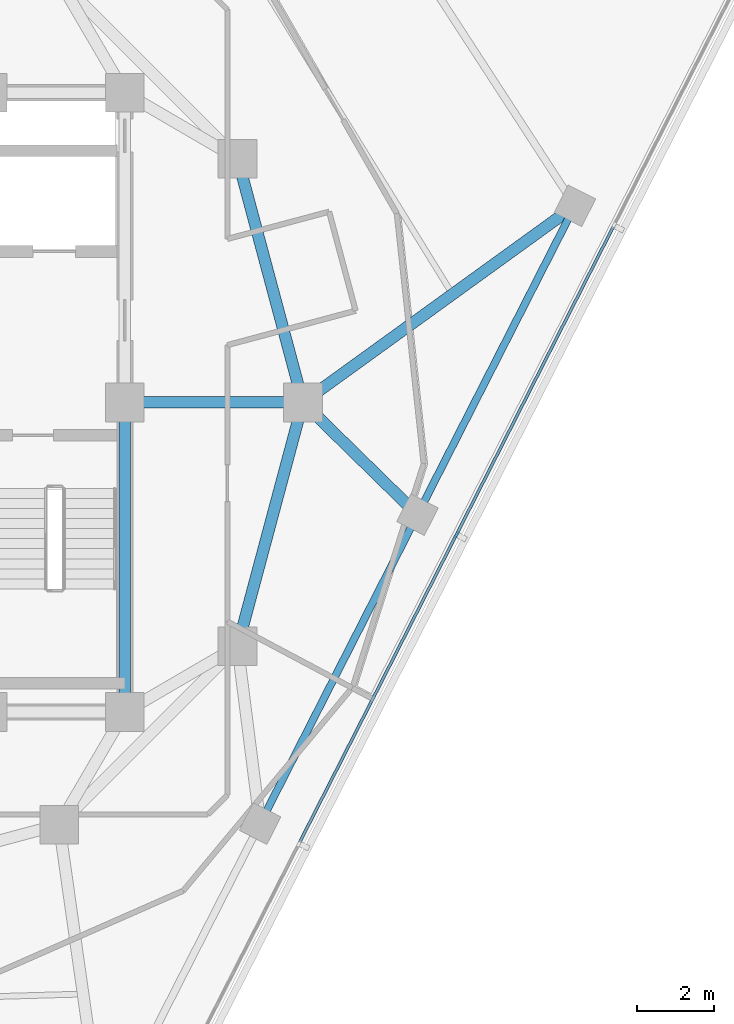
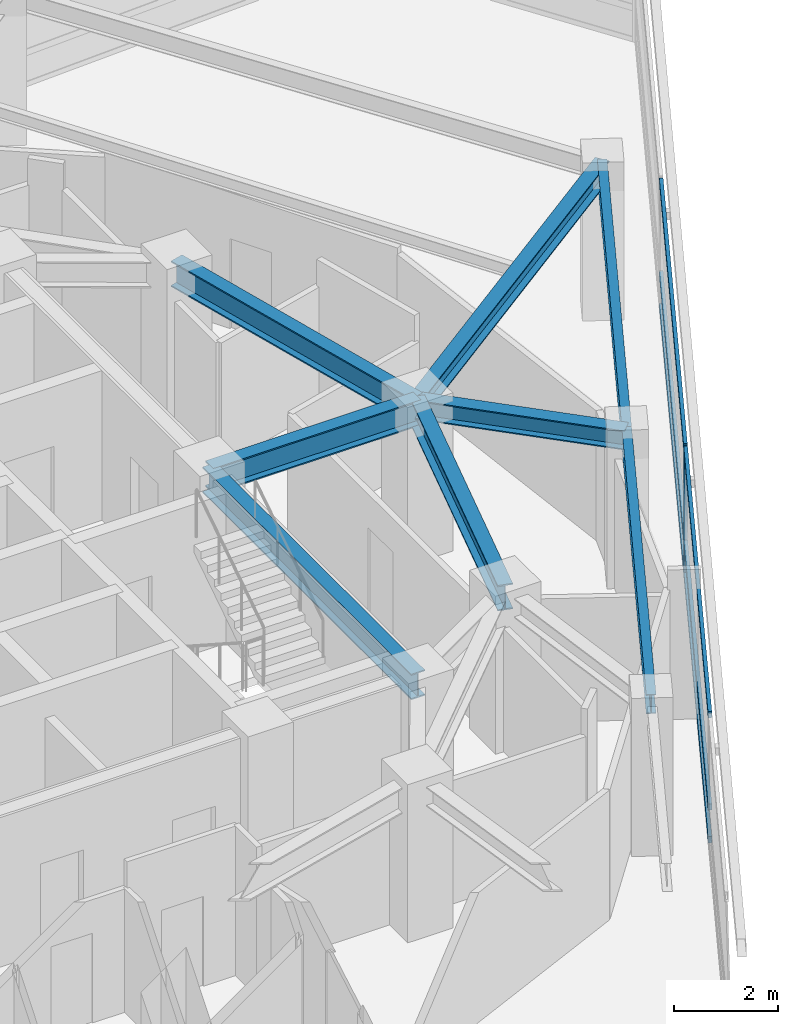
# One storey, part 4 of 15: 8 beams, 7 members, 1 element without a shape of its own.
"""IFC4 building model written with IfcOpenShell, lengths in metres."""

from ifc_helpers import new_model, si_unit, direction, frame, origin, origin_2d, place, context, subcontext, project, spatial, rectangle, i_section, extrude, material, layer, layer_set, material_profile, profile_set, type_object, element, aggregate, save


model = new_model("IFC4")

# Units and contexts
model_context = context("Model", 3, precision=1e-05, world=origin(), true_north=direction((0.0, 1.0)))
body_context = subcontext(model_context, "Body", "Model", "MODEL_VIEW")
ifc_project = project(units=[si_unit("LENGTHUNIT", "METRE"), si_unit("AREAUNIT", "SQUARE_METRE"), si_unit("VOLUMEUNIT", "CUBIC_METRE"), si_unit("PLANEANGLEUNIT", "RADIAN"), si_unit("MASSUNIT", "GRAM", prefix="KILO")], contexts=[model_context])

# Site, building, storey
site_placement = place(None, origin())
site = spatial("IfcSite", under=ifc_project, at=site_placement, CompositionType="ELEMENT")
building_placement = place(site_placement, origin())
building = spatial("IfcBuilding", under=site, at=building_placement, Name="Terralouvre Media Tower", CompositionType="ELEMENT")
storey_placement = place(building_placement, frame((0.0, 0.0, 263.300048828125)))
storey = spatial("IfcBuildingStorey", under=building, at=storey_placement, Name="L68", CompositionType="ELEMENT", Elevation=263.300048828125)

# Curtain wall, members
ifc_material_1 = material(Name="Low-iron laminated double glazing with solar-control coating", Category="glass")
ifc_layer = layer(ifc_material_1, 0.1650390625, Name="Upper Executive Tower Curtain Wall CW-05")
ifc_layer_set = layer_set([ifc_layer], Name="Low-iron laminated double glazing with solar-control coating")
curtain_wall_type = type_object("IfcCurtainWallType", Name="Upper Executive Tower Curtain Wall CW-05", PredefinedType="NOTDEFINED", material=ifc_layer_set)
curtain_wall_placement = place(storey_placement, origin())
curtain_wall = element("IfcCurtainWall", 1, at=curtain_wall_placement, inside=storey, type_object=curtain_wall_type, Name="L68 Facade Curtain Wall F0", PredefinedType="NOTDEFINED")
ifc_material_2 = material(Name="Anodised extruded aluminium 6063-T6", Category="aluminium")
ifc_material_profile_1 = material_profile(ifc_material_2, rectangle(XDim=0.074951171875, YDim=0.14990234375, at=origin_2d()), Name="ALU 75x150")
ifc_profile_set_1 = profile_set([ifc_material_profile_1], Name="Anodised extruded aluminium 6063-T6")
member_type_1 = type_object("IfcMemberType", Name="Curtain-Wall Horizontal Transom TR-150", PredefinedType="USERDEFINED", material=ifc_profile_set_1)
member_1_placement = place(storey_placement, frame((12.517822265625, -11.364013671875, 0.037353515625), z_axis=(0.4539932871, 0.891005103952, 0.0), x_axis=(-0.891005103952, 0.4539932871, 0.0)))
member_1 = element("IfcMember", 2, at=member_1_placement, type_object=member_type_1, Name="CW-05 transom 3.1", ObjectType="TRANSOM", PredefinedType="USERDEFINED", context=body_context, shape_type="SweptSolid", body=[
    extrude(rectangle(XDim=0.074951171875, YDim=0.14990234375, at=origin_2d()), origin(), (0.0, 0.0, 1.0), 8.885009765625),
])
member_2_placement = place(storey_placement, frame((12.517822265625, -11.364013671875, 0.800048828125), z_axis=(0.4539932871, 0.891005103952, 0.0), x_axis=(-0.891005103952, 0.4539932871, 0.0)))
member_2 = element("IfcMember", 3, at=member_2_placement, type_object=member_type_1, Name="CW-05 transom 3.2", ObjectType="TRANSOM", PredefinedType="USERDEFINED", context=body_context, shape_type="SweptSolid", body=[
    extrude(rectangle(XDim=0.074951171875, YDim=0.14990234375, at=origin_2d()), origin(), (0.0, 0.0, 1.0), 8.885009765625),
])
member_3_placement = place(storey_placement, frame((12.517822265625, -11.364013671875, 2.96240234375), z_axis=(0.4539932871, 0.891005103952, 0.0), x_axis=(-0.891005103952, 0.4539932871, 0.0)))
member_3 = element("IfcMember", 4, at=member_3_placement, type_object=member_type_1, Name="CW-05 transom 3.3", ObjectType="TRANSOM", PredefinedType="USERDEFINED", context=body_context, shape_type="SweptSolid", body=[
    extrude(rectangle(XDim=0.074951171875, YDim=0.14990234375, at=origin_2d()), origin(), (0.0, 0.0, 1.0), 8.885009765625),
])
member_4_placement = place(storey_placement, frame((16.585693359375, -3.380615234375, 0.037353515625), z_axis=(0.4539932871, 0.891005103952, 0.0), x_axis=(-0.891005103952, 0.4539932871, 0.0)))
member_4 = element("IfcMember", 5, at=member_4_placement, type_object=member_type_1, Name="CW-05 transom 4.1", ObjectType="TRANSOM", PredefinedType="USERDEFINED", context=body_context, shape_type="SweptSolid", body=[
    extrude(rectangle(XDim=0.074951171875, YDim=0.14990234375, at=origin_2d()), origin(), (0.0, 0.0, 1.0), 8.885009765625),
])
member_5_placement = place(storey_placement, frame((16.585693359375, -3.380615234375, 0.800048828125), z_axis=(0.4539932871, 0.891005103952, 0.0), x_axis=(-0.891005103952, 0.4539932871, 0.0)))
member_5 = element("IfcMember", 6, at=member_5_placement, type_object=member_type_1, Name="CW-05 transom 4.2", ObjectType="TRANSOM", PredefinedType="USERDEFINED", context=body_context, shape_type="SweptSolid", body=[
    extrude(rectangle(XDim=0.074951171875, YDim=0.14990234375, at=origin_2d()), origin(), (0.0, 0.0, 1.0), 8.885009765625),
])
member_6_placement = place(storey_placement, frame((16.585693359375, -3.380615234375, 2.96240234375), z_axis=(0.4539932871, 0.891005103952, 0.0), x_axis=(-0.891005103952, 0.4539932871, 0.0)))
member_6 = element("IfcMember", 7, at=member_6_placement, type_object=member_type_1, Name="CW-05 transom 4.3", ObjectType="TRANSOM", PredefinedType="USERDEFINED", context=body_context, shape_type="SweptSolid", body=[
    extrude(rectangle(XDim=0.074951171875, YDim=0.14990234375, at=origin_2d()), origin(), (0.0, 0.0, 1.0), 8.885009765625),
])
ifc_material_3 = material(Name="Anodised extruded aluminium 6063-T6", Category="aluminium")
ifc_material_profile_2 = material_profile(ifc_material_3, rectangle(XDim=0.074951171875, YDim=0.179931640625, at=origin_2d()), Name="ALU 75x180")
ifc_profile_set_2 = profile_set([ifc_material_profile_2], Name="Anodised extruded aluminium 6063-T6")
member_type_2 = type_object("IfcMemberType", Name="Curtain-Wall Vertical Mullion ML-180", PredefinedType="MULLION", material=ifc_profile_set_2)
member_7_placement = place(storey_placement, frame((16.568603515625, -3.4140625, 0.0), z_axis=(0.0, 0.0, 1.0), x_axis=(-0.891006553308, 0.45399044259, 0.0)))
member_7 = element("IfcMember", 8, at=member_7_placement, type_object=member_type_2, Name="CW-05 mullion 4", PredefinedType="MULLION", context=body_context, shape_type="SweptSolid", body=[
    extrude(rectangle(XDim=0.074951171875, YDim=0.179931640625, at=origin_2d()), origin(), (0.0, 0.0, 1.0), 3.0),
])
aggregate(curtain_wall, [member_7, member_1, member_2, member_3, member_4, member_5, member_6])

# Beams
ifc_material_4 = material(Name="Structural steel S355J2", Category="steel")
ifc_material_profile_3 = material_profile(ifc_material_4, i_section(OverallWidth=0.18994140625, OverallDepth=0.449951171875, WebThickness=0.009521484375, FlangeThickness=0.0146484375, at=origin_2d()), Name="IPE 450")
ifc_profile_set_3 = profile_set([ifc_material_profile_3], Name="Structural steel S355J2")
beam_type_1 = type_object("IfcBeamType", Name="Perimeter Spandrel Beam SPB-450 (IPE 450)", PredefinedType="SPANDREL", material=ifc_profile_set_3)
for number, where, z_axis, x_axis, name in (
    (9, (11.493896484375, -10.884521484375, 3.27490234375), (0.454001700669, 0.891000816941, 0.0), (-0.891000816941, 0.454001700669, 0.0), "L68 Framing Beam BM-L68-PR05"),
    (10, (15.561767578125, -2.901123046875, 3.27490234375), (0.453980068772, 0.891011838955, 0.0), (-0.891011838955, 0.453980068772, 0.0), "L68 Framing Beam BM-L68-PR06"),
):
    element("IfcBeam", number, at=place(storey_placement, frame(where, z_axis=z_axis, x_axis=x_axis)), inside=storey, type_object=beam_type_1, Name=name, PredefinedType="SPANDREL", context=body_context, shape_type="SweptSolid", body=[
        extrude(i_section(OverallWidth=0.18994140625, OverallDepth=0.449951171875, WebThickness=0.009521484375, FlangeThickness=0.0146484375, at=origin_2d()), origin(), (0.0, 0.0, 1.0), 8.9599609375),
    ])
ifc_material_5 = material(Name="Structural steel S355J2", Category="steel")
ifc_material_profile_4 = material_profile(ifc_material_5, i_section(OverallWidth=0.300048828125, OverallDepth=0.449951171875, WebThickness=0.013916015625, FlangeThickness=0.02587890625, at=origin_2d()), Name="HEB 450")
ifc_profile_set_4 = profile_set([ifc_material_profile_4], Name="Structural steel S355J2")
beam_type_2 = type_object("IfcBeamType", Name="Primary Floor Girder B-HEB450 (HEB 450)", PredefinedType="BEAM", material=ifc_profile_set_4)
beam_1_placement = place(storey_placement, frame((12.60009765625, 0.0, 3.27490234375), z_axis=(0.71437119745, -0.699766955675, 0.0), x_axis=(0.699766955675, 0.71437119745, 0.0)))
element("IfcBeam", 11, at=beam_1_placement, inside=storey, type_object=beam_type_2, Name="L68 Framing Beam BM-L68-RD06", PredefinedType="BEAM", context=body_context, shape_type="SweptSolid", body=[
    extrude(i_section(OverallWidth=0.300048828125, OverallDepth=0.449951171875, WebThickness=0.013916015625, FlangeThickness=0.02587890625, at=origin_2d()), origin(), (0.0, 0.0, 1.0), 4.145751953125),
])
beam_2_placement = place(storey_placement, frame((12.60009765625, 0.0, 3.27490234375), z_axis=(0.810374824206, 0.585911805901, 0.0), x_axis=(-0.585911805901, 0.810374824206, 0.0)))
element("IfcBeam", 12, at=beam_2_placement, inside=storey, type_object=beam_type_2, Name="L68 Framing Beam BM-L68-RD07", PredefinedType="BEAM", context=body_context, shape_type="SweptSolid", body=[
    extrude(i_section(OverallWidth=0.300048828125, OverallDepth=0.449951171875, WebThickness=0.013916015625, FlangeThickness=0.02587890625, at=origin_2d()), origin(), (0.0, 0.0, 1.0), 8.674072265625),
])
ifc_material_6 = material(Name="Structural steel S460M", Category="steel")
ifc_material_profile_5 = material_profile(ifc_material_6, i_section(OverallWidth=0.300048828125, OverallDepth=0.60009765625, WebThickness=0.015380859375, FlangeThickness=0.030029296875, at=origin_2d()), Name="HEB 600")
ifc_profile_set_5 = profile_set([ifc_material_profile_5], Name="Structural steel S460M")
beam_type_3 = type_object("IfcBeamType", Name="Primary Floor Girder B-HEB600 (HEB 600)", PredefinedType="BEAM", material=ifc_profile_set_5)
beam_3_placement = place(storey_placement, frame((8.0, -8.0, 3.199951171875), z_axis=(0.0, 1.0, 0.0), x_axis=(-1.0, 0.0, 0.0)))
element("IfcBeam", 13, at=beam_3_placement, inside=storey, type_object=beam_type_3, Name="L68 Framing Beam BM-L68-CPR04", PredefinedType="BEAM", context=body_context, shape_type="SweptSolid", body=[
    extrude(i_section(OverallWidth=0.300048828125, OverallDepth=0.60009765625, WebThickness=0.015380859375, FlangeThickness=0.030029296875, at=origin_2d()), origin(), (0.0, 0.0, 1.0), 8.0),
])
for number, where, z_axis, x_axis, name in (
    (14, (10.911865234375, -6.300048828125, 3.199951171875), (0.258838989821, 0.965920481897, 0.0), (-0.965920481897, 0.258838989821, 0.0), "L68 Framing Beam BM-L68-MR05"),
    (15, (12.60009765625, 0.0, 3.199951171875), (-0.258838989821, 0.965920481897, 0.0), (-0.965920481897, -0.258838989821, 0.0), "L68 Framing Beam BM-L68-MR06"),
):
    element("IfcBeam", number, at=place(storey_placement, frame(where, z_axis=z_axis, x_axis=x_axis)), inside=storey, type_object=beam_type_3, Name=name, PredefinedType="BEAM", context=body_context, shape_type="SweptSolid", body=[
        extrude(i_section(OverallWidth=0.300048828125, OverallDepth=0.60009765625, WebThickness=0.015380859375, FlangeThickness=0.030029296875, at=origin_2d()), origin(), (0.0, 0.0, 1.0), 6.522216796875),
    ])
beam_4_placement = place(storey_placement, frame((8.0, 0.0, 3.199951171875), z_axis=(1.0, 0.0, 0.0), x_axis=(0.0, 1.0, 0.0)))
element("IfcBeam", 16, at=beam_4_placement, inside=storey, type_object=beam_type_3, Name="L68 Framing Beam BM-L68-CM06", PredefinedType="BEAM", context=body_context, shape_type="SweptSolid", body=[
    extrude(i_section(OverallWidth=0.300048828125, OverallDepth=0.60009765625, WebThickness=0.015380859375, FlangeThickness=0.030029296875, at=origin_2d()), origin(), (0.0, 0.0, 1.0), 4.60009765625),
])

save(model, "model.ifc")
